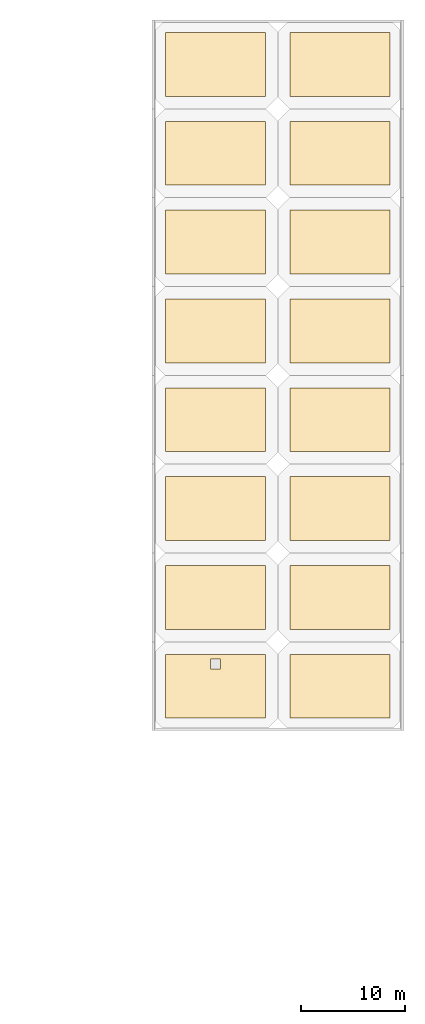
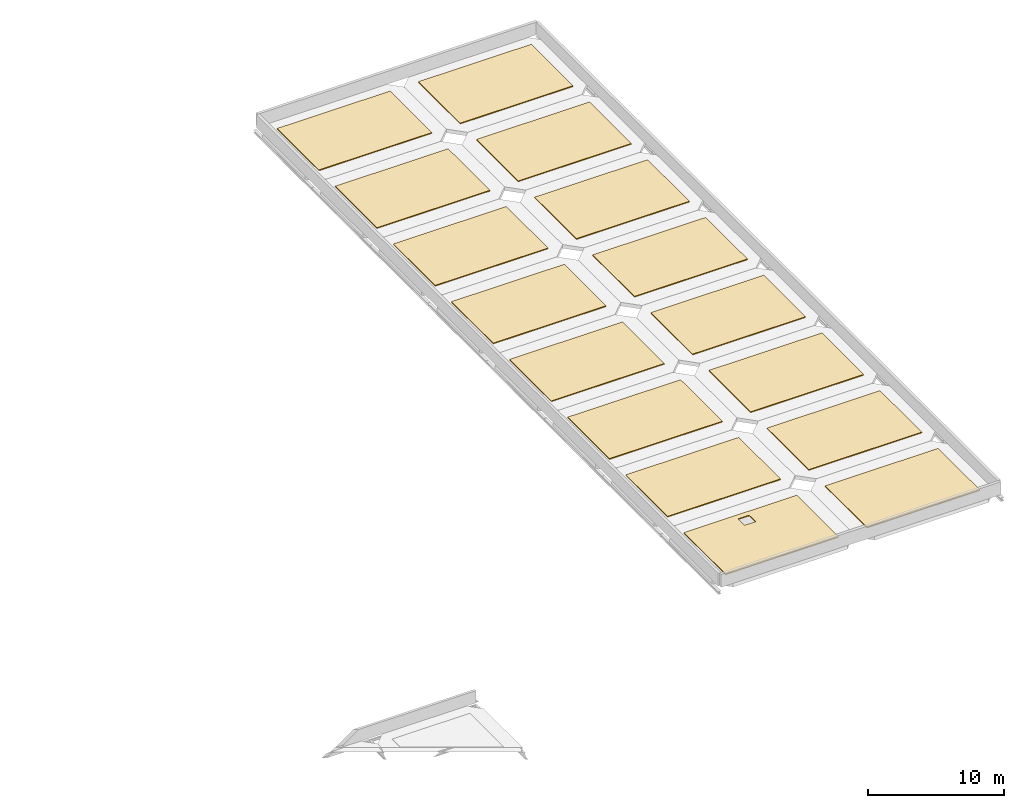
# One storey, part 44 of 44: 16 coverings.
"""IFC4 building model written with IfcOpenShell, lengths in metres."""

from ifc_helpers import new_model, si_unit, direction, frame, origin, place, context, subcontext, project, spatial, polyline, outline, extrude, material, layer, layer_set, type_object, element, save


model = new_model("IFC4")

# Units and contexts
model_context = context("Model", 3, precision=1e-05, world=origin(), true_north=direction((0.0, 1.0)))
body_context = subcontext(model_context, "Body", "Model", "MODEL_VIEW")
ifc_project = project(units=[si_unit("LENGTHUNIT", "METRE"), si_unit("AREAUNIT", "SQUARE_METRE"), si_unit("VOLUMEUNIT", "CUBIC_METRE"), si_unit("PLANEANGLEUNIT", "RADIAN"), si_unit("MASSUNIT", "GRAM", prefix="KILO")], contexts=[model_context])

# Site, building, storey
site_placement = place(None, origin())
site = spatial("IfcSite", under=ifc_project, at=site_placement, CompositionType="ELEMENT")
building_placement = place(site_placement, origin())
building = spatial("IfcBuilding", under=site, at=building_placement, Name="Serraforn Aerial Cableway Station", CompositionType="ELEMENT")
storey_placement = place(building_placement, frame((0.0, 0.0, 13.800048828125)))
storey = spatial("IfcBuildingStorey", under=building, at=storey_placement, Name="L03", CompositionType="ELEMENT", Elevation=13.800048828125)

# Coverings
ifc_material = material(Name="Planted Mediterranean green roof substrate")
ifc_layer = layer(ifc_material, 0.080078125)
ifc_layer_set = layer_set([ifc_layer], Name="Planted Mediterranean green roof substrate")
covering_type = type_object("IfcCoveringType", Name="COV-ROOF-GRN", PredefinedType="ROOFING", material=ifc_layer_set)
covering_1_placement = place(storey_placement, origin())
element("IfcCovering", 1, at=covering_1_placement, inside=storey, type_object=covering_type, Name="Roof Covering EG-L03-1-1", PredefinedType="ROOFING", context=body_context, shape_type="SweptSolid", body=[
    extrude(outline(polyline([(145.199951171875, 46.800048828125), (154.800048828125, 46.800048828125), (154.800048828125, 52.949951171875), (145.199951171875, 52.949951171875), (145.199951171875, 46.800048828125)]), holes=[polyline([(149.52490234375, 51.52490234375), (150.47509765625, 51.52490234375), (150.47509765625, 52.47509765625), (149.52490234375, 52.47509765625), (149.52490234375, 51.52490234375)])]), origin(), (0.0, 0.0, 1.0), 0.079833984375),
])
covering_2_placement = place(storey_placement, origin())
element("IfcCovering", 2, at=covering_2_placement, inside=storey, type_object=covering_type, Name="Roof Covering EG-L03-1-2", PredefinedType="ROOFING", context=body_context, shape_type="SweptSolid", body=[
    extrude(outline(polyline([(145.199951171875, 55.35009765625), (154.800048828125, 55.35009765625), (154.800048828125, 61.5), (145.199951171875, 61.5), (145.199951171875, 55.35009765625)])), origin(), (0.0, 0.0, 1.0), 0.079833984375),
])
covering_3_placement = place(storey_placement, origin())
element("IfcCovering", 3, at=covering_3_placement, inside=storey, type_object=covering_type, Name="Roof Covering EG-L03-1-3", PredefinedType="ROOFING", context=body_context, shape_type="SweptSolid", body=[
    extrude(outline(polyline([(145.199951171875, 63.89990234375), (154.800048828125, 63.89990234375), (154.800048828125, 70.050048828125), (145.199951171875, 70.050048828125), (145.199951171875, 63.89990234375)])), origin(), (0.0, 0.0, 1.0), 0.079833984375),
])
covering_4_placement = place(storey_placement, origin())
element("IfcCovering", 4, at=covering_4_placement, inside=storey, type_object=covering_type, Name="Roof Covering EG-L03-1-4", PredefinedType="ROOFING", context=body_context, shape_type="SweptSolid", body=[
    extrude(outline(polyline([(145.199951171875, 72.449951171875), (154.800048828125, 72.449951171875), (154.800048828125, 78.60009765625), (145.199951171875, 78.60009765625), (145.199951171875, 72.449951171875)])), origin(), (0.0, 0.0, 1.0), 0.079833984375),
])
covering_5_placement = place(storey_placement, origin())
element("IfcCovering", 5, at=covering_5_placement, inside=storey, type_object=covering_type, Name="Roof Covering EG-L03-1-5", PredefinedType="ROOFING", context=body_context, shape_type="SweptSolid", body=[
    extrude(outline(polyline([(145.199951171875, 81.0), (154.800048828125, 81.0), (154.800048828125, 87.14990234375), (145.199951171875, 87.14990234375), (145.199951171875, 81.0)])), origin(), (0.0, 0.0, 1.0), 0.079833984375),
])
covering_6_placement = place(storey_placement, origin())
element("IfcCovering", 6, at=covering_6_placement, inside=storey, type_object=covering_type, Name="Roof Covering EG-L03-1-6", PredefinedType="ROOFING", context=body_context, shape_type="SweptSolid", body=[
    extrude(outline(polyline([(145.199951171875, 89.550048828125), (154.800048828125, 89.550048828125), (154.800048828125, 95.699951171875), (145.199951171875, 95.699951171875), (145.199951171875, 89.550048828125)])), origin(), (0.0, 0.0, 1.0), 0.079833984375),
])
covering_7_placement = place(storey_placement, origin())
element("IfcCovering", 7, at=covering_7_placement, inside=storey, type_object=covering_type, Name="Roof Covering EG-L03-1-7", PredefinedType="ROOFING", context=body_context, shape_type="SweptSolid", body=[
    extrude(outline(polyline([(145.199951171875, 98.10009765625), (154.800048828125, 98.10009765625), (154.800048828125, 104.25), (145.199951171875, 104.25), (145.199951171875, 98.10009765625)])), origin(), (0.0, 0.0, 1.0), 0.079833984375),
])
covering_8_placement = place(storey_placement, origin())
element("IfcCovering", 8, at=covering_8_placement, inside=storey, type_object=covering_type, Name="Roof Covering EG-L03-1-8", PredefinedType="ROOFING", context=body_context, shape_type="SweptSolid", body=[
    extrude(outline(polyline([(145.199951171875, 106.64990234375), (154.800048828125, 106.64990234375), (154.800048828125, 112.800048828125), (145.199951171875, 112.800048828125), (145.199951171875, 106.64990234375)])), origin(), (0.0, 0.0, 1.0), 0.079833984375),
])
covering_9_placement = place(storey_placement, origin())
element("IfcCovering", 9, at=covering_9_placement, inside=storey, type_object=covering_type, Name="Roof Covering EG-L03-2-1", PredefinedType="ROOFING", context=body_context, shape_type="SweptSolid", body=[
    extrude(outline(polyline([(157.199951171875, 46.800048828125), (166.800048828125, 46.800048828125), (166.800048828125, 52.949951171875), (157.199951171875, 52.949951171875), (157.199951171875, 46.800048828125)])), origin(), (0.0, 0.0, 1.0), 0.079833984375),
])
covering_10_placement = place(storey_placement, origin())
element("IfcCovering", 10, at=covering_10_placement, inside=storey, type_object=covering_type, Name="Roof Covering EG-L03-2-2", PredefinedType="ROOFING", context=body_context, shape_type="SweptSolid", body=[
    extrude(outline(polyline([(157.199951171875, 55.35009765625), (166.800048828125, 55.35009765625), (166.800048828125, 61.5), (157.199951171875, 61.5), (157.199951171875, 55.35009765625)])), origin(), (0.0, 0.0, 1.0), 0.079833984375),
])
covering_11_placement = place(storey_placement, origin())
element("IfcCovering", 11, at=covering_11_placement, inside=storey, type_object=covering_type, Name="Roof Covering EG-L03-2-3", PredefinedType="ROOFING", context=body_context, shape_type="SweptSolid", body=[
    extrude(outline(polyline([(157.199951171875, 63.89990234375), (166.800048828125, 63.89990234375), (166.800048828125, 70.050048828125), (157.199951171875, 70.050048828125), (157.199951171875, 63.89990234375)])), origin(), (0.0, 0.0, 1.0), 0.079833984375),
])
covering_12_placement = place(storey_placement, origin())
element("IfcCovering", 12, at=covering_12_placement, inside=storey, type_object=covering_type, Name="Roof Covering EG-L03-2-4", PredefinedType="ROOFING", context=body_context, shape_type="SweptSolid", body=[
    extrude(outline(polyline([(157.199951171875, 72.449951171875), (166.800048828125, 72.449951171875), (166.800048828125, 78.60009765625), (157.199951171875, 78.60009765625), (157.199951171875, 72.449951171875)])), origin(), (0.0, 0.0, 1.0), 0.079833984375),
])
covering_13_placement = place(storey_placement, origin())
element("IfcCovering", 13, at=covering_13_placement, inside=storey, type_object=covering_type, Name="Roof Covering EG-L03-2-5", PredefinedType="ROOFING", context=body_context, shape_type="SweptSolid", body=[
    extrude(outline(polyline([(157.199951171875, 81.0), (166.800048828125, 81.0), (166.800048828125, 87.14990234375), (157.199951171875, 87.14990234375), (157.199951171875, 81.0)])), origin(), (0.0, 0.0, 1.0), 0.079833984375),
])
covering_14_placement = place(storey_placement, origin())
element("IfcCovering", 14, at=covering_14_placement, inside=storey, type_object=covering_type, Name="Roof Covering EG-L03-2-6", PredefinedType="ROOFING", context=body_context, shape_type="SweptSolid", body=[
    extrude(outline(polyline([(157.199951171875, 89.550048828125), (166.800048828125, 89.550048828125), (166.800048828125, 95.699951171875), (157.199951171875, 95.699951171875), (157.199951171875, 89.550048828125)])), origin(), (0.0, 0.0, 1.0), 0.079833984375),
])
covering_15_placement = place(storey_placement, origin())
element("IfcCovering", 15, at=covering_15_placement, inside=storey, type_object=covering_type, Name="Roof Covering EG-L03-2-7", PredefinedType="ROOFING", context=body_context, shape_type="SweptSolid", body=[
    extrude(outline(polyline([(157.199951171875, 98.10009765625), (166.800048828125, 98.10009765625), (166.800048828125, 104.25), (157.199951171875, 104.25), (157.199951171875, 98.10009765625)])), origin(), (0.0, 0.0, 1.0), 0.079833984375),
])
covering_16_placement = place(storey_placement, origin())
element("IfcCovering", 16, at=covering_16_placement, inside=storey, type_object=covering_type, Name="Roof Covering EG-L03-2-8", PredefinedType="ROOFING", context=body_context, shape_type="SweptSolid", body=[
    extrude(outline(polyline([(157.199951171875, 106.64990234375), (166.800048828125, 106.64990234375), (166.800048828125, 112.800048828125), (157.199951171875, 112.800048828125), (157.199951171875, 106.64990234375)])), origin(), (0.0, 0.0, 1.0), 0.079833984375),
])

save(model, "model.ifc")
